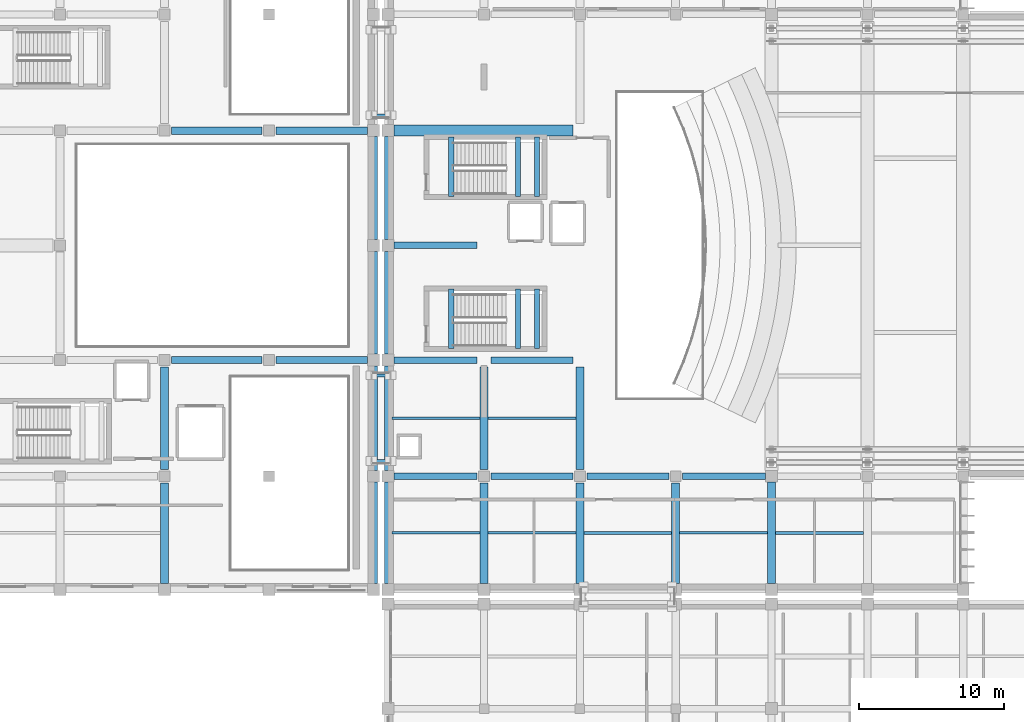
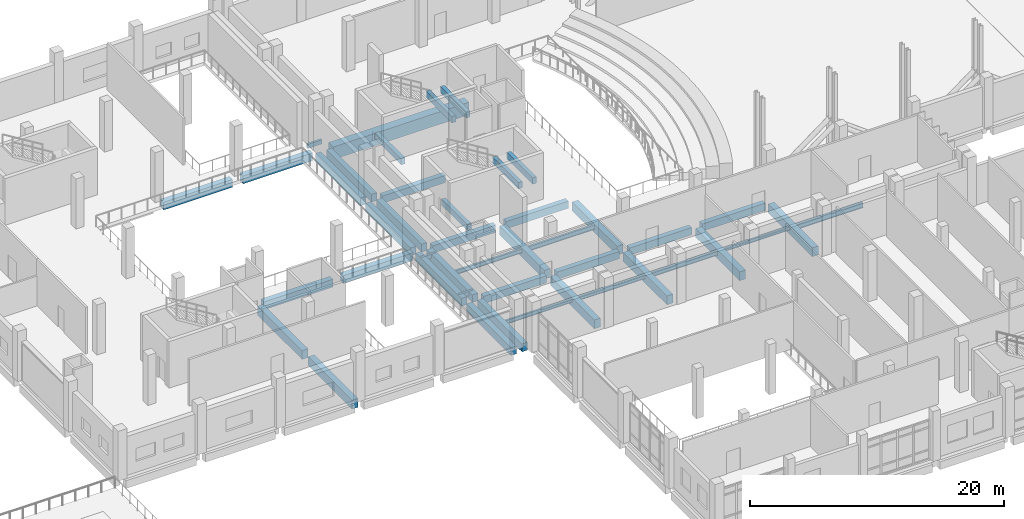
# One storey, part 12 of 73: 44 beams.
"""IFC4 building model written with IfcOpenShell, lengths in metres."""

from ifc_helpers import new_model, si_unit, direction, frame, origin, origin_2d, place, context, subcontext, project, spatial, rectangle, hollow_rectangle, i_section, extrude, material, material_profile, profile_set, type_object, element, save


model = new_model("IFC4")

# Units and contexts
model_context = context("Model", 3, precision=1e-05, world=origin(), true_north=direction((0.0, 1.0)))
body_context = subcontext(model_context, "Body", "Model", "MODEL_VIEW")
ifc_project = project(units=[si_unit("LENGTHUNIT", "METRE"), si_unit("AREAUNIT", "SQUARE_METRE"), si_unit("VOLUMEUNIT", "CUBIC_METRE"), si_unit("PLANEANGLEUNIT", "RADIAN"), si_unit("MASSUNIT", "GRAM", prefix="KILO")], contexts=[model_context])

# Site, building, storey
site_placement = place(None, origin())
site = spatial("IfcSite", under=ifc_project, at=site_placement, CompositionType="ELEMENT")
building_placement = place(site_placement, origin())
building = spatial("IfcBuilding", under=site, at=building_placement, Name="Kelarvand Opera House", CompositionType="ELEMENT")
storey_placement = place(building_placement, frame((0.0, 0.0, 10.199951171875)))
storey = spatial("IfcBuildingStorey", under=building, at=storey_placement, Name="L02", CompositionType="ELEMENT", Elevation=10.199951171875)

# Beams
ifc_material_1 = material(Name="Concrete C35/45", Category="concrete")
ifc_material_profile_1 = material_profile(ifc_material_1, rectangle(XDim=0.35009765625, YDim=0.60009765625, at=origin_2d()), Name="RC 350x600", Category="concrete")
ifc_profile_set_1 = profile_set([ifc_material_profile_1], Name="Concrete C35/45")
beam_type_1 = type_object("IfcBeamType", Name="Structural Beam RC 350x600 BM-RC350x600", PredefinedType="BEAM", material=ifc_profile_set_1)
for number, where, z_axis, x_axis, name in (
    (1, (93.340087890625, 65.85009765625, -0.52001953125), (0.0, 1.0, 0.0), (-1.0, 0.0, 0.0), "C1 Stair Landing Support Beam L02"),
    (2, (97.949951171875, 65.85009765625, 1.900146484375), (0.0, 1.0, 0.0), (-1.0, 0.0, 0.0), "C1 Stair Half-Landing Beam 1 L02"),
    (3, (99.25, 65.85009765625, 1.900146484375), (0.0, 1.0, 0.0), (-1.0, 0.0, 0.0), "C1 Stair Half-Landing Beam 2 L02"),
):
    element("IfcBeam", number, at=place(storey_placement, frame(where, z_axis=z_axis, x_axis=x_axis)), inside=storey, type_object=beam_type_1, Name=name, PredefinedType="BEAM", context=body_context, shape_type="SweptSolid", body=[
        extrude(rectangle(XDim=0.35009765625, YDim=0.60009765625, at=origin_2d()), origin(), (0.0, 0.0, 1.0), 4.099853515625),
    ])
for number, where, z_axis, x_axis, name in (
    (4, (93.340087890625, 55.39990234375, -0.52001953125), (0.0, 1.0, 0.0), (-1.0, 0.0, 0.0), "C4 Stair Landing Support Beam L02"),
    (5, (97.949951171875, 55.39990234375, 1.900146484375), (0.0, 1.0, 0.0), (-1.0, 0.0, 0.0), "C4 Stair Half-Landing Beam 1 L02"),
    (6, (99.25, 55.39990234375, 1.900146484375), (0.0, 1.0, 0.0), (-1.0, 0.0, 0.0), "C4 Stair Half-Landing Beam 2 L02"),
):
    element("IfcBeam", number, at=place(storey_placement, frame(where, z_axis=z_axis, x_axis=x_axis)), inside=storey, type_object=beam_type_1, Name=name, PredefinedType="BEAM", context=body_context, shape_type="SweptSolid", body=[
        extrude(rectangle(XDim=0.35009765625, YDim=0.60009765625, at=origin_2d()), origin(), (0.0, 0.0, 1.0), 4.10009765625),
    ])
ifc_material_2 = material(Name="Concrete C40/50", Category="concrete")
ifc_material_profile_2 = material_profile(ifc_material_2, rectangle(XDim=0.449951171875, YDim=0.699951171875, at=origin_2d()), Name="RC 450x700", Category="concrete")
ifc_profile_set_2 = profile_set([ifc_material_profile_2], Name="Concrete C40/50")
beam_type_2 = type_object("IfcBeamType", Name="Structural Beam RC 450x700 BM-RC450x700", PredefinedType="BEAM", material=ifc_profile_set_2)
beam_1_placement = place(storey_placement, frame((89.409912109375, 46.60009765625, -0.669921875), z_axis=(1.0, 0.0, 0.0), x_axis=(0.0, 1.0, 0.0)))
element("IfcBeam", 7, at=beam_1_placement, inside=storey, type_object=beam_type_2, Name="V1 L02 Beam BM-RC450x700", PredefinedType="BEAM", context=body_context, shape_type="SweptSolid", body=[
    extrude(rectangle(XDim=0.449951171875, YDim=0.699951171875, at=origin_2d()), origin(), (0.0, 0.0, 1.0), 5.715087890625),
])
beam_2_placement = place(storey_placement, frame((96.074951171875, 46.60009765625, -0.669921875), z_axis=(1.0, 0.0, 0.0), x_axis=(0.0, 1.0, 0.0)))
element("IfcBeam", 8, at=beam_2_placement, inside=storey, type_object=beam_type_2, Name="V1 L02 Beam BM-RC450x700", PredefinedType="BEAM", context=body_context, shape_type="SweptSolid", body=[
    extrude(rectangle(XDim=0.449951171875, YDim=0.699951171875, at=origin_2d()), origin(), (0.0, 0.0, 1.0), 5.650146484375),
])
beam_3_placement = place(storey_placement, frame((102.675048828125, 46.60009765625, -0.669921875), z_axis=(1.0, 0.0, 0.0), x_axis=(0.0, 1.0, 0.0)))
element("IfcBeam", 9, at=beam_3_placement, inside=storey, type_object=beam_type_2, Name="V1 L02 Beam BM-RC450x700", PredefinedType="BEAM", context=body_context, shape_type="SweptSolid", body=[
    extrude(rectangle(XDim=0.449951171875, YDim=0.699951171875, at=origin_2d()), origin(), (0.0, 0.0, 1.0), 5.64990234375),
])
for number, where, z_axis, x_axis, name in (
    (10, (109.27490234375, 46.60009765625, -0.669921875), (1.0, 0.0, 0.0), (0.0, 1.0, 0.0), "V1 L02 Beam BM-RC450x700"),
    (11, (89.409912109375, 54.60009765625, -0.669921875), (1.0, 0.0, 0.0), (0.0, 1.0, 0.0), "V1 L02 Beam BM-RC450x700"),
):
    element("IfcBeam", number, at=place(storey_placement, frame(where, z_axis=z_axis, x_axis=x_axis)), inside=storey, type_object=beam_type_2, Name=name, PredefinedType="BEAM", context=body_context, shape_type="SweptSolid", body=[
        extrude(rectangle(XDim=0.449951171875, YDim=0.699951171875, at=origin_2d()), origin(), (0.0, 0.0, 1.0), 5.715087890625),
    ])
beam_4_placement = place(storey_placement, frame((96.074951171875, 54.60009765625, -0.669921875), z_axis=(1.0, 0.0, 0.0), x_axis=(0.0, 1.0, 0.0)))
element("IfcBeam", 12, at=beam_4_placement, inside=storey, type_object=beam_type_2, Name="V1 L02 Beam BM-RC450x700", PredefinedType="BEAM", context=body_context, shape_type="SweptSolid", body=[
    extrude(rectangle(XDim=0.449951171875, YDim=0.699951171875, at=origin_2d()), origin(), (0.0, 0.0, 1.0), 5.650146484375),
])
beam_5_placement = place(storey_placement, frame((89.409912109375, 62.5, -0.669921875), z_axis=(1.0, 0.0, 0.0), x_axis=(0.0, 1.0, 0.0)))
element("IfcBeam", 13, at=beam_5_placement, inside=storey, type_object=beam_type_2, Name="V1 L02 Beam BM-RC450x700", PredefinedType="BEAM", context=body_context, shape_type="SweptSolid", body=[
    extrude(rectangle(XDim=0.449951171875, YDim=0.699951171875, at=origin_2d()), origin(), (0.0, 0.0, 1.0), 5.715087890625),
])
ifc_material_profile_3 = material_profile(ifc_material_2, rectangle(XDim=0.5, YDim=0.75, at=origin_2d()), Name="RC 500x750", Category="concrete")
ifc_profile_set_3 = profile_set([ifc_material_profile_3], Name="Concrete C40/50")
beam_type_3 = type_object("IfcBeamType", Name="Structural Beam RC 500x750 BM-RC500x750", PredefinedType="BEAM", material=ifc_profile_set_3)
beam_6_placement = place(storey_placement, frame((74.074951171875, 54.60009765625, -0.695068359375), z_axis=(1.0, 0.0, 0.0), x_axis=(0.0, 1.0, 0.0)))
element("IfcBeam", 14, at=beam_6_placement, inside=storey, type_object=beam_type_3, Name="V2 L02 Beam BM-RC500x750", PredefinedType="BEAM", context=body_context, shape_type="SweptSolid", body=[
    extrude(rectangle(XDim=0.5, YDim=0.75, at=origin_2d()), origin(), (0.0, 0.0, 1.0), 6.25),
])
beam_7_placement = place(storey_placement, frame((81.27490234375, 54.60009765625, -0.695068359375), z_axis=(1.0, 0.0, 0.0), x_axis=(0.0, 1.0, 0.0)))
element("IfcBeam", 15, at=beam_7_placement, inside=storey, type_object=beam_type_3, Name="V2 L02 Beam BM-RC500x750", PredefinedType="BEAM", context=body_context, shape_type="SweptSolid", body=[
    extrude(rectangle(XDim=0.5, YDim=0.75, at=origin_2d()), origin(), (0.0, 0.0, 1.0), 6.315185546875),
])
beam_8_placement = place(storey_placement, frame((74.074951171875, 70.39990234375, -0.695068359375), z_axis=(1.0, 0.0, 0.0), x_axis=(0.0, 1.0, 0.0)))
element("IfcBeam", 16, at=beam_8_placement, inside=storey, type_object=beam_type_3, Name="V2 L02 Beam BM-RC500x750", PredefinedType="BEAM", context=body_context, shape_type="SweptSolid", body=[
    extrude(rectangle(XDim=0.5, YDim=0.75, at=origin_2d()), origin(), (0.0, 0.0, 1.0), 6.25),
])
beam_9_placement = place(storey_placement, frame((81.27490234375, 70.39990234375, -0.695068359375), z_axis=(1.0, 0.0, 0.0), x_axis=(0.0, 1.0, 0.0)))
element("IfcBeam", 17, at=beam_9_placement, inside=storey, type_object=beam_type_3, Name="V2 L02 Beam BM-RC500x750", PredefinedType="BEAM", context=body_context, shape_type="SweptSolid", body=[
    extrude(rectangle(XDim=0.5, YDim=0.75, at=origin_2d()), origin(), (0.0, 0.0, 1.0), 6.315185546875),
])
ifc_material_profile_4 = material_profile(ifc_material_2, rectangle(XDim=0.550048828125, YDim=0.85009765625, at=origin_2d()), Name="RC 550x850", Category="concrete")
ifc_profile_set_4 = profile_set([ifc_material_profile_4], Name="Concrete C40/50")
beam_type_4 = type_object("IfcBeamType", Name="Structural Beam RC 550x850 BM-RC550x850", PredefinedType="BEAM", material=ifc_profile_set_4)
beam_10_placement = place(storey_placement, frame((95.60009765625, 39.2099609375, -0.744873046875), z_axis=(0.0, 1.0, 0.0), x_axis=(-1.0, 0.0, 0.0)))
element("IfcBeam", 18, at=beam_10_placement, inside=storey, type_object=beam_type_4, Name="V1 L02 Beam BM-RC550x850", PredefinedType="BEAM", context=body_context, shape_type="SweptSolid", body=[
    extrude(rectangle(XDim=0.550048828125, YDim=0.85009765625, at=origin_2d()), origin(), (0.0, 0.0, 1.0), 6.9150390625),
])
beam_11_placement = place(storey_placement, frame((95.60009765625, 47.074951171875, -0.744873046875), z_axis=(0.0, 1.0, 0.0), x_axis=(-1.0, 0.0, 0.0)))
element("IfcBeam", 19, at=beam_11_placement, inside=storey, type_object=beam_type_4, Name="V1 L02 Beam BM-RC550x850", PredefinedType="BEAM", context=body_context, shape_type="SweptSolid", body=[
    extrude(rectangle(XDim=0.550048828125, YDim=0.85009765625, at=origin_2d()), origin(), (0.0, 0.0, 1.0), 7.050048828125),
])
beam_12_placement = place(storey_placement, frame((102.199951171875, 39.2099609375, -0.744873046875), z_axis=(0.0, 1.0, 0.0), x_axis=(-1.0, 0.0, 0.0)))
element("IfcBeam", 20, at=beam_12_placement, inside=storey, type_object=beam_type_4, Name="V1 L02 Beam BM-RC550x850", PredefinedType="BEAM", context=body_context, shape_type="SweptSolid", body=[
    extrude(rectangle(XDim=0.550048828125, YDim=0.85009765625, at=origin_2d()), origin(), (0.0, 0.0, 1.0), 6.9150390625),
])
beam_13_placement = place(storey_placement, frame((102.199951171875, 47.074951171875, -0.744873046875), z_axis=(0.0, 1.0, 0.0), x_axis=(-1.0, 0.0, 0.0)))
element("IfcBeam", 21, at=beam_13_placement, inside=storey, type_object=beam_type_4, Name="V1 L02 Beam BM-RC550x850", PredefinedType="BEAM", context=body_context, shape_type="SweptSolid", body=[
    extrude(rectangle(XDim=0.550048828125, YDim=0.85009765625, at=origin_2d()), origin(), (0.0, 0.0, 1.0), 7.050048828125),
])
beam_14_placement = place(storey_placement, frame((108.800048828125, 39.2099609375, -0.744873046875), z_axis=(0.0, 1.0, 0.0), x_axis=(-1.0, 0.0, 0.0)))
element("IfcBeam", 22, at=beam_14_placement, inside=storey, type_object=beam_type_4, Name="V1 L02 Beam BM-RC550x850", PredefinedType="BEAM", context=body_context, shape_type="SweptSolid", body=[
    extrude(rectangle(XDim=0.550048828125, YDim=0.85009765625, at=origin_2d()), origin(), (0.0, 0.0, 1.0), 6.9150390625),
])
beam_15_placement = place(storey_placement, frame((115.39990234375, 39.2099609375, -0.744873046875), z_axis=(0.0, 1.0, 0.0), x_axis=(-1.0, 0.0, 0.0)))
element("IfcBeam", 23, at=beam_15_placement, inside=storey, type_object=beam_type_4, Name="V1 L02 Beam BM-RC550x850", PredefinedType="BEAM", context=body_context, shape_type="SweptSolid", body=[
    extrude(rectangle(XDim=0.550048828125, YDim=0.85009765625, at=origin_2d()), origin(), (0.0, 0.0, 1.0), 6.97998046875),
])
beam_16_placement = place(storey_placement, frame((73.60009765625, 39.2099609375, -0.744873046875), z_axis=(0.0, 1.0, 0.0), x_axis=(-1.0, 0.0, 0.0)))
element("IfcBeam", 24, at=beam_16_placement, inside=storey, type_object=beam_type_4, Name="V2 L02 Beam BM-RC550x850", PredefinedType="BEAM", context=body_context, shape_type="SweptSolid", body=[
    extrude(rectangle(XDim=0.550048828125, YDim=0.85009765625, at=origin_2d()), origin(), (0.0, 0.0, 1.0), 6.9150390625),
])
beam_17_placement = place(storey_placement, frame((73.60009765625, 47.074951171875, -0.744873046875), z_axis=(0.0, 1.0, 0.0), x_axis=(-1.0, 0.0, 0.0)))
element("IfcBeam", 25, at=beam_17_placement, inside=storey, type_object=beam_type_4, Name="V2 L02 Beam BM-RC550x850", PredefinedType="BEAM", context=body_context, shape_type="SweptSolid", body=[
    extrude(rectangle(XDim=0.550048828125, YDim=0.85009765625, at=origin_2d()), origin(), (0.0, 0.0, 1.0), 7.050048828125),
])
ifc_material_profile_5 = material_profile(ifc_material_2, rectangle(XDim=0.75, YDim=1.199951171875, at=origin_2d()), Name="RC 750x1200", Category="concrete")
ifc_profile_set_5 = profile_set([ifc_material_profile_5], Name="Concrete C40/50")
beam_type_5 = type_object("IfcBeamType", Name="Structural Beam RC 750x1200 BM-RC750x1200", PredefinedType="BEAM", material=ifc_profile_set_5)
beam_18_placement = place(storey_placement, frame((89.409912109375, 70.39990234375, -0.919921875), z_axis=(1.0, 0.0, 0.0), x_axis=(0.0, 1.0, 0.0)))
element("IfcBeam", 26, at=beam_18_placement, inside=storey, type_object=beam_type_5, Name="V1 L02 Beam BM-RC750x1200", PredefinedType="BEAM", context=body_context, shape_type="SweptSolid", body=[
    extrude(rectangle(XDim=0.75, YDim=1.199951171875, at=origin_2d()), origin(), (0.0, 0.0, 1.0), 12.315185546875),
])
ifc_material_3 = material(Name="Steel S355", Category="steel")
ifc_material_profile_6 = material_profile(ifc_material_3, hollow_rectangle(XDim=0.199951171875, YDim=0.39990234375, WallThickness=0.01611328125, at=origin_2d()), Name="RHS 400x200x16.0", Category="steel")
ifc_profile_set_6 = profile_set([ifc_material_profile_6], Name="Steel S355")
beam_type_6 = type_object("IfcBeamType", Name="Structural Beam RHS 400x200x16.0 BM-RHS400", PredefinedType="BEAM", material=ifc_profile_set_6)
for number, where, z_axis, x_axis, name in (
    (27, (87.85009765625, 71.449951171875, -0.52001953125), (1.0, 0.0, 0.0), (0.0, 1.0, 0.0), "Seismic Sliding Corbel Beam BR-JP-N L02 1"),
    (28, (87.85009765625, 47.64990234375, -0.52001953125), (1.0, 0.0, 0.0), (0.0, 1.0, 0.0), "Seismic Sliding Corbel Beam BR-JP-S L02 1"),
    (29, (87.85009765625, 53.550048828125, -0.52001953125), (1.0, 0.0, 0.0), (0.0, 1.0, 0.0), "Seismic Sliding Corbel Beam BR-JP-S L02 2"),
):
    element("IfcBeam", number, at=place(storey_placement, frame(where, z_axis=z_axis, x_axis=x_axis)), inside=storey, type_object=beam_type_6, Name=name, PredefinedType="BEAM", context=body_context, shape_type="SweptSolid", body=[
        extrude(hollow_rectangle(XDim=0.199951171875, YDim=0.39990234375, WallThickness=0.01611328125, at=origin_2d()), origin(), (0.0, 0.0, 1.0), 1.2998046875),
    ])
ifc_material_profile_7 = material_profile(ifc_material_3, i_section(OverallWidth=0.159912109375, OverallDepth=0.330078125, WebThickness=0.007568359375, FlangeThickness=0.011474609375, at=origin_2d()), Name="IPE 330", Category="steel")
ifc_profile_set_7 = profile_set([ifc_material_profile_7], Name="Steel S355")
beam_type_7 = type_object("IfcBeamType", Name="Structural Joist IPE 330 JS-IPE330", PredefinedType="JOIST", material=ifc_profile_set_7)
beam_19_placement = place(storey_placement, frame((109.074951171875, 42.699951171875, -0.48486328125), z_axis=(1.0, 0.0, 0.0), x_axis=(0.0, 1.0, 0.0)))
element("IfcBeam", 30, at=beam_19_placement, inside=storey, type_object=beam_type_7, Name="V1 L02 Beam JS-IPE330", PredefinedType="JOIST", context=body_context, shape_type="SweptSolid", body=[
    extrude(i_section(OverallWidth=0.159912109375, OverallDepth=0.330078125, WebThickness=0.007568359375, FlangeThickness=0.011474609375, at=origin_2d()), origin(), (0.0, 0.0, 1.0), 6.050048828125),
])
ifc_material_profile_8 = material_profile(ifc_material_3, i_section(OverallWidth=0.169921875, OverallDepth=0.360107421875, WebThickness=0.008056640625, FlangeThickness=0.0126953125, at=origin_2d()), Name="IPE 360", Category="steel")
ifc_profile_set_8 = profile_set([ifc_material_profile_8], Name="Steel S355")
beam_type_8 = type_object("IfcBeamType", Name="Structural Joist IPE 360 JS-IPE360", PredefinedType="JOIST", material=ifc_profile_set_8)
beam_20_placement = place(storey_placement, frame((89.25, 42.699951171875, -0.5), z_axis=(1.0, 0.0, 0.0), x_axis=(0.0, 1.0, 0.0)))
element("IfcBeam", 31, at=beam_20_placement, inside=storey, type_object=beam_type_8, Name="V1 L02 Beam JS-IPE360", PredefinedType="JOIST", context=body_context, shape_type="SweptSolid", body=[
    extrude(i_section(OverallWidth=0.169921875, OverallDepth=0.360107421875, WebThickness=0.008056640625, FlangeThickness=0.0126953125, at=origin_2d()), origin(), (0.0, 0.0, 1.0), 6.074951171875),
])
ifc_material_profile_9 = material_profile(ifc_material_3, i_section(OverallWidth=0.179931640625, OverallDepth=0.39990234375, WebThickness=0.008544921875, FlangeThickness=0.013427734375, at=origin_2d()), Name="IPE 400", Category="steel")
ifc_profile_set_9 = profile_set([ifc_material_profile_9], Name="Steel S355")
beam_type_9 = type_object("IfcBeamType", Name="Structural Joist IPE 400 JS-IPE400", PredefinedType="JOIST", material=ifc_profile_set_9)
beam_21_placement = place(storey_placement, frame((89.25, 50.60009765625, -0.52001953125), z_axis=(1.0, 0.0, 0.0), x_axis=(0.0, 1.0, 0.0)))
element("IfcBeam", 32, at=beam_21_placement, inside=storey, type_object=beam_type_9, Name="V1 L02 Beam JS-IPE400", PredefinedType="JOIST", context=body_context, shape_type="SweptSolid", body=[
    extrude(i_section(OverallWidth=0.179931640625, OverallDepth=0.39990234375, WebThickness=0.008544921875, FlangeThickness=0.013427734375, at=origin_2d()), origin(), (0.0, 0.0, 1.0), 6.074951171875),
])
beam_22_placement = place(storey_placement, frame((95.875, 42.699951171875, -0.52001953125), z_axis=(1.0, 0.0, 0.0), x_axis=(0.0, 1.0, 0.0)))
element("IfcBeam", 33, at=beam_22_placement, inside=storey, type_object=beam_type_9, Name="V1 L02 Beam JS-IPE400", PredefinedType="JOIST", context=body_context, shape_type="SweptSolid", body=[
    extrude(i_section(OverallWidth=0.179931640625, OverallDepth=0.39990234375, WebThickness=0.008544921875, FlangeThickness=0.013427734375, at=origin_2d()), origin(), (0.0, 0.0, 1.0), 6.050048828125),
])
ifc_material_profile_10 = material_profile(ifc_material_3, i_section(OverallWidth=0.18994140625, OverallDepth=0.449951171875, WebThickness=0.009521484375, FlangeThickness=0.0146484375, at=origin_2d()), Name="IPE 450", Category="steel")
ifc_profile_set_10 = profile_set([ifc_material_profile_10], Name="Steel S355")
beam_type_10 = type_object("IfcBeamType", Name="Structural Joist IPE 450 JS-IPE450", PredefinedType="JOIST", material=ifc_profile_set_10)
beam_23_placement = place(storey_placement, frame((95.875, 50.60009765625, -0.544921875), z_axis=(1.0, 0.0, 0.0), x_axis=(0.0, 1.0, 0.0)))
element("IfcBeam", 34, at=beam_23_placement, inside=storey, type_object=beam_type_10, Name="V1 L02 Beam JS-IPE450", PredefinedType="JOIST", context=body_context, shape_type="SweptSolid", body=[
    extrude(i_section(OverallWidth=0.18994140625, OverallDepth=0.449951171875, WebThickness=0.009521484375, FlangeThickness=0.0146484375, at=origin_2d()), origin(), (0.0, 0.0, 1.0), 6.050048828125),
])
beam_24_placement = place(storey_placement, frame((102.47509765625, 42.699951171875, -0.544921875), z_axis=(1.0, 0.0, 0.0), x_axis=(0.0, 1.0, 0.0)))
element("IfcBeam", 35, at=beam_24_placement, inside=storey, type_object=beam_type_10, Name="V1 L02 Beam JS-IPE450", PredefinedType="JOIST", context=body_context, shape_type="SweptSolid", body=[
    extrude(i_section(OverallWidth=0.18994140625, OverallDepth=0.449951171875, WebThickness=0.009521484375, FlangeThickness=0.0146484375, at=origin_2d()), origin(), (0.0, 0.0, 1.0), 6.0498046875),
])
ifc_material_profile_11 = material_profile(ifc_material_3, i_section(OverallWidth=0.199951171875, OverallDepth=0.5, WebThickness=0.01025390625, FlangeThickness=0.01611328125, at=origin_2d()), Name="IPE 500", Category="steel")
ifc_profile_set_11 = profile_set([ifc_material_profile_11], Name="Steel S355")
beam_type_11 = type_object("IfcBeamType", Name="Structural Joist IPE 500 JS-IPE500", PredefinedType="JOIST", material=ifc_profile_set_11)
beam_25_placement = place(storey_placement, frame((115.675048828125, 42.699951171875, -0.570068359375), z_axis=(1.0, 0.0, 0.0), x_axis=(0.0, 1.0, 0.0)))
element("IfcBeam", 36, at=beam_25_placement, inside=storey, type_object=beam_type_11, Name="V1 L02 Beam JS-IPE500", PredefinedType="JOIST", context=body_context, shape_type="SweptSolid", body=[
    extrude(i_section(OverallWidth=0.199951171875, OverallDepth=0.5, WebThickness=0.01025390625, FlangeThickness=0.01611328125, at=origin_2d()), origin(), (0.0, 0.0, 1.0), 6.050048828125),
])
ifc_material_profile_12 = material_profile(ifc_material_2, rectangle(XDim=0.5, YDim=0.75, at=origin_2d()), Name="RC 500x750", Category="concrete")
ifc_profile_set_12 = profile_set([ifc_material_profile_12], Name="Concrete C40/50")
beam_type_12 = type_object("IfcBeamType", Name="Structural Spandrel RC 500x750 SP-RC500x750E", PredefinedType="SPANDREL", material=ifc_profile_set_12)
beam_26_placement = place(storey_placement, frame((89.0, 39.2099609375, -0.695068359375), z_axis=(0.0, 1.0, 0.0), x_axis=(-1.0, 0.0, 0.0)))
element("IfcBeam", 37, at=beam_26_placement, inside=storey, type_object=beam_type_12, Name="V1 L02 Beam SP-RC500x750E", PredefinedType="SPANDREL", context=body_context, shape_type="SweptSolid", body=[
    extrude(rectangle(XDim=0.5, YDim=0.75, at=origin_2d()), origin(), (0.0, 0.0, 1.0), 6.97998046875),
])
beam_27_placement = place(storey_placement, frame((89.0, 47.010009765625, -0.695068359375), z_axis=(0.0, 1.0, 0.0), x_axis=(-1.0, 0.0, 0.0)))
element("IfcBeam", 38, at=beam_27_placement, inside=storey, type_object=beam_type_12, Name="V1 L02 Beam SP-RC500x750E", PredefinedType="SPANDREL", context=body_context, shape_type="SweptSolid", body=[
    extrude(rectangle(XDim=0.5, YDim=0.75, at=origin_2d()), origin(), (0.0, 0.0, 1.0), 7.179931640625),
])
for number, where, z_axis, x_axis, name in (
    (39, (89.0, 55.010009765625, -0.695068359375), (0.0, 1.0, 0.0), (-1.0, 0.0, 0.0), "V1 L02 Beam SP-RC500x750E"),
    (40, (89.0, 62.909912109375, -0.695068359375), (0.0, 1.0, 0.0), (-1.0, 0.0, 0.0), "V1 L02 Beam SP-RC500x750E"),
):
    element("IfcBeam", number, at=place(storey_placement, frame(where, z_axis=z_axis, x_axis=x_axis)), inside=storey, type_object=beam_type_12, Name=name, PredefinedType="SPANDREL", context=body_context, shape_type="SweptSolid", body=[
        extrude(rectangle(XDim=0.5, YDim=0.75, at=origin_2d()), origin(), (0.0, 0.0, 1.0), 7.080078125),
    ])
beam_28_placement = place(storey_placement, frame((88.0, 39.2099609375, -0.695068359375), z_axis=(0.0, 1.0, 0.0), x_axis=(-1.0, 0.0, 0.0)))
element("IfcBeam", 41, at=beam_28_placement, inside=storey, type_object=beam_type_12, Name="V2 L02 Beam SP-RC500x750E", PredefinedType="SPANDREL", context=body_context, shape_type="SweptSolid", body=[
    extrude(rectangle(XDim=0.5, YDim=0.75, at=origin_2d()), origin(), (0.0, 0.0, 1.0), 6.97998046875),
])
beam_29_placement = place(storey_placement, frame((88.0, 47.010009765625, -0.695068359375), z_axis=(0.0, 1.0, 0.0), x_axis=(-1.0, 0.0, 0.0)))
element("IfcBeam", 42, at=beam_29_placement, inside=storey, type_object=beam_type_12, Name="V2 L02 Beam SP-RC500x750E", PredefinedType="SPANDREL", context=body_context, shape_type="SweptSolid", body=[
    extrude(rectangle(XDim=0.5, YDim=0.75, at=origin_2d()), origin(), (0.0, 0.0, 1.0), 7.179931640625),
])
for number, where, z_axis, x_axis, name in (
    (43, (88.0, 55.010009765625, -0.695068359375), (0.0, 1.0, 0.0), (-1.0, 0.0, 0.0), "V2 L02 Beam SP-RC500x750E"),
    (44, (88.0, 62.909912109375, -0.695068359375), (0.0, 1.0, 0.0), (-1.0, 0.0, 0.0), "V2 L02 Beam SP-RC500x750E"),
):
    element("IfcBeam", number, at=place(storey_placement, frame(where, z_axis=z_axis, x_axis=x_axis)), inside=storey, type_object=beam_type_12, Name=name, PredefinedType="SPANDREL", context=body_context, shape_type="SweptSolid", body=[
        extrude(rectangle(XDim=0.5, YDim=0.75, at=origin_2d()), origin(), (0.0, 0.0, 1.0), 7.080078125),
    ])

save(model, "model.ifc")
